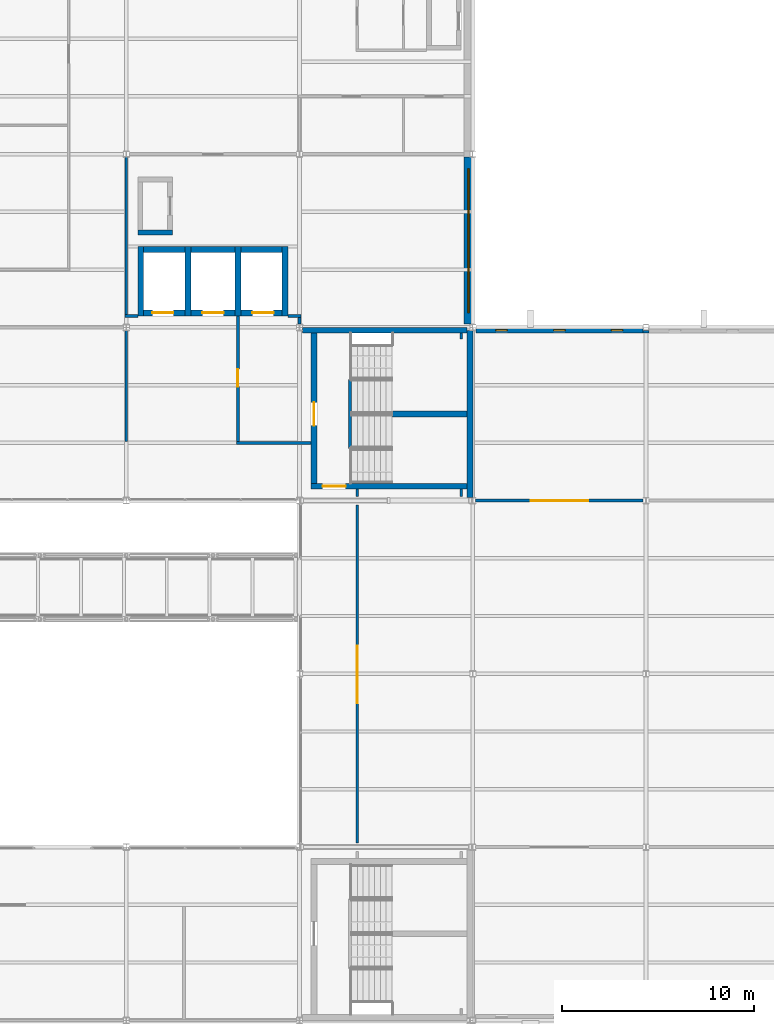
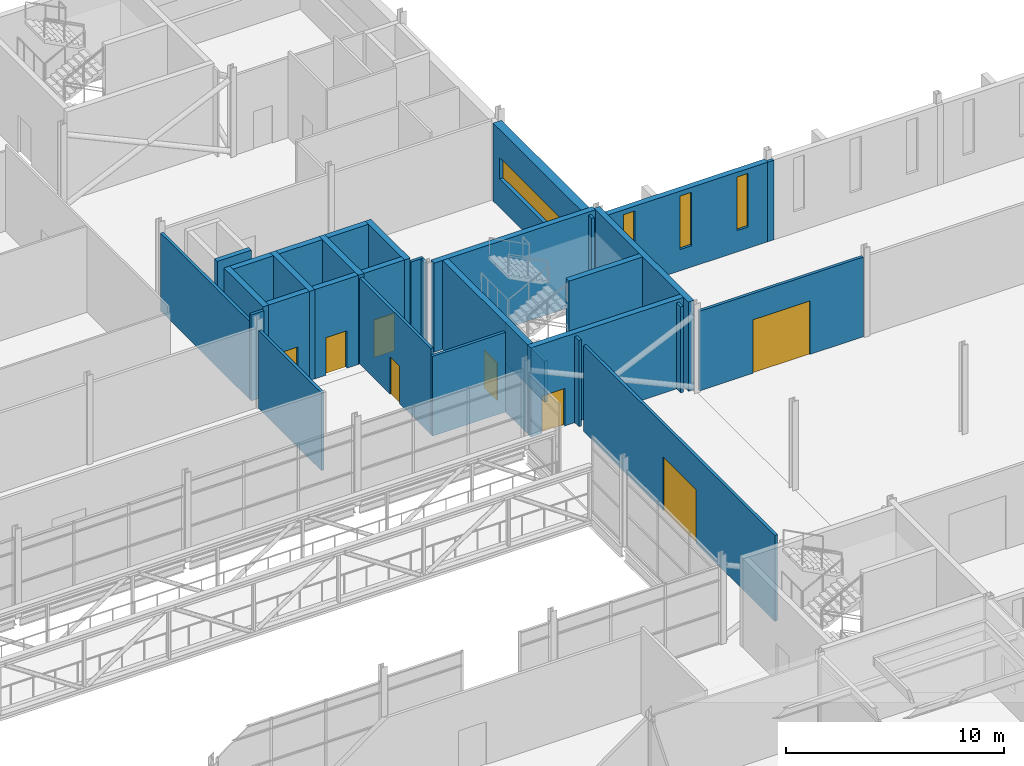
# One storey, part 86 of 115: 32 walls, 8 doors, 4 windows, 12 openings.
"""IFC4 building model written with IfcOpenShell, lengths in metres."""

import ifcopenshell
import ifcopenshell.guid

model = None  # the IFC model being written
_history = None  # IfcOwnerHistory: only IFC2X3 demands one
_inside = {}  # id of a spatial element -> (the spatial element, [elements in it])
_under = {}  # id of a project, library or spatial element -> (it, [spatial elements below it])
_declared = {}  # id of a project -> (the project, [libraries it declares])
_typed = {}  # id of a type object -> (the type object, [elements of that type])
_made_of = {}  # id of a material, layer set ... -> (it, [elements and type objects made of it])


def new_model(schema):
    """Start an empty IFC model of exactly this schema.

    Asked for "IFC4X3", IfcOpenShell would pick the latest addendum, in which some entities
    have other attributes; the version numbers below select the first issue.
    IFC2X3 requires an IfcOwnerHistory on every rooted entity: one is made here for all.
    """
    global model, _history
    if schema == "IFC4X3":
        model = ifcopenshell.file(schema_version=(4, 3, 0, 0))
    else:
        model = ifcopenshell.file(schema=schema)
    _inside.clear()
    _under.clear()
    _declared.clear()
    _typed.clear()
    _made_of.clear()
    _history = None
    if model.schema == "IFC2X3":
        org = make("IfcOrganization", Name="unknown")
        user = make(
            "IfcPersonAndOrganization",
            ThePerson=make("IfcPerson", FamilyName="unknown"),
            TheOrganization=org,
        )
        app = make(
            "IfcApplication",
            ApplicationDeveloper=org,
            Version="unknown",
            ApplicationFullName="unknown",
            ApplicationIdentifier="unknown",
        )
        _history = make(
            "IfcOwnerHistory",
            OwningUser=user,
            OwningApplication=app,
            ChangeAction="ADDED",
            CreationDate=0,
        )
    return model


def make(cls, **values):
    """One entity of the class cls with the attributes given. An attribute that is None is left unset."""
    return model.create_entity(
        cls, **{name: value for name, value in values.items() if value is not None}
    )


def rooted(cls, **values):
    """An entity with a GlobalId (a new one), such as an element, a storey or a relation."""
    return make(cls, GlobalId=ifcopenshell.guid.new(), OwnerHistory=_history, **values)


def si_unit(unit_type, name, prefix=None):
    """IfcSIUnit, for example si_unit("LENGTHUNIT", "METRE", prefix="MILLI")."""
    return make("IfcSIUnit", UnitType=unit_type, Prefix=prefix, Name=name)


def assignment(units):
    """IfcUnitAssignment: the units of a project."""
    return None if units is None else make("IfcUnitAssignment", Units=units)


def point(xyz):
    """IfcCartesianPoint."""
    return None if xyz is None else make("IfcCartesianPoint", Coordinates=xyz)


def direction(xyz):
    """IfcDirection."""
    return None if xyz is None else make("IfcDirection", DirectionRatios=xyz)


def frame(location, z_axis=None, x_axis=None):
    """IfcAxis2Placement3D, a coordinate frame: its origin and axes. An axis left out is left unset."""
    return make(
        "IfcAxis2Placement3D",
        Location=point(location),
        Axis=direction(z_axis),
        RefDirection=direction(x_axis),
    )


def frame_2d(location, x_axis=None):
    """IfcAxis2Placement2D, a coordinate frame in the plane: its origin and x axis."""
    return make(
        "IfcAxis2Placement2D", Location=point(location), RefDirection=direction(x_axis)
    )


def origin():
    """The frame at (0, 0, 0) with its axes left unset."""
    return frame((0.0, 0.0, 0.0))


def place(relative_to, where):
    """IfcLocalPlacement: puts the frame where relative to a parent placement (None: the world)."""
    return make(
        "IfcLocalPlacement", PlacementRelTo=relative_to, RelativePlacement=where
    )


def context(
    kind, dimensions, precision=None, world=None, true_north=None, identifier=None
):
    """IfcGeometricRepresentationContext, for example the 3D "Model" context."""
    return make(
        "IfcGeometricRepresentationContext",
        ContextIdentifier=identifier,
        ContextType=kind,
        CoordinateSpaceDimension=dimensions,
        Precision=precision,
        WorldCoordinateSystem=world,
        TrueNorth=true_north,
    )


def subcontext(parent, identifier, kind, view, scale=None):
    """IfcGeometricRepresentationSubContext, for example "Body" below "Model"."""
    return make(
        "IfcGeometricRepresentationSubContext",
        ContextIdentifier=identifier,
        ContextType=kind,
        ParentContext=parent,
        TargetScale=scale,
        TargetView=view,
    )


def project(units=None, contexts=None):
    """IfcProject with its units and contexts."""
    return rooted(
        "IfcProject",
        Name="project",
        RepresentationContexts=contexts,
        UnitsInContext=assignment(units),
    )


def spatial(cls, under=None, at=None, **own):
    """A site, building, storey or space (cls), placed at a placement, below another one or the project."""
    s = rooted(cls, ObjectPlacement=at, **own)
    if under is not None:
        _under.setdefault(under.id(), (under, []))[1].append(s)
    return s


def profile(cls, at=None, kind="AREA", **sizes):
    """A parametric profile (cls). Its sizes go by their IFC names, for example OverallWidth=200.0."""
    return make(cls, ProfileType=kind, Position=at, **sizes)


def rectangle(**sizes):
    """IfcRectangleProfileDef."""
    return profile("IfcRectangleProfileDef", **sizes)


def extrude(swept, where, along, depth):
    """IfcExtrudedAreaSolid: the profile swept, set in the frame where, extruded along a direction by depth."""
    return make(
        "IfcExtrudedAreaSolid",
        SweptArea=swept,
        Position=where,
        ExtrudedDirection=direction(along),
        Depth=depth,
    )


def shape(context_of_items, identifier, shape_type, items):
    """IfcShapeRepresentation: the items that make up one representation, for example the "Body"."""
    return make(
        "IfcShapeRepresentation",
        ContextOfItems=context_of_items,
        RepresentationIdentifier=identifier,
        RepresentationType=shape_type,
        Items=items,
    )


def material(Name=None, Category=None):
    """IfcMaterial."""
    return make("IfcMaterial", Name=Name, Category=Category)


def layer(
    of_material, thickness, ventilated=None, Name=None, Category=None, Priority=None
):
    """IfcMaterialLayer: one layer of a wall or slab, of a material (None: an air gap)."""
    return make(
        "IfcMaterialLayer",
        Material=of_material,
        LayerThickness=thickness,
        IsVentilated=ventilated,
        Name=Name,
        Category=Category,
        Priority=Priority,
    )


def layer_set(layers, Name=None):
    """IfcMaterialLayerSet."""
    return make("IfcMaterialLayerSet", MaterialLayers=layers, LayerSetName=Name)


def made_of(thing, what):
    """Note that an element or type object is made of a material, layer set ...; save() writes the relation."""
    if what is not None:
        _made_of.setdefault(what.id(), (what, []))[1].append(thing)
    return thing


def type_object(cls, material=None, **own):
    """A type object (cls), such as IfcWallType, which elements share."""
    return made_of(rooted(cls, **own), material)


def element(
    cls,
    number,
    at=None,
    inside=None,
    cuts=None,
    type_object=None,
    material=None,
    context=None,
    identifier="Body",
    shape_type=None,
    held_by="IfcProductDefinitionShape",
    body=None,
    shapes=None,
    **own,
):
    """One element of the class cls, such as IfcWall. Its Tag is "e" and its number.

    at: its placement. inside: the storey or other place that contains it. cuts: it is an
    opening in that element (IfcRelVoidsElement). A single representation is given by context,
    identifier, shape_type and body (its items); several are given by shapes. held_by: the class
    of the entity that holds the representations. save() writes the other relations.
    """
    e = rooted(cls, Tag="e%d" % number, ObjectPlacement=at, **own)
    if body is not None:
        shapes = [shape(context, identifier, shape_type, body)]
    if shapes is not None:
        e.Representation = make(held_by, Representations=shapes)
    if inside is not None:
        _inside.setdefault(inside.id(), (inside, []))[1].append(e)
    if cuts is not None:
        rooted(
            "IfcRelVoidsElement", RelatingBuildingElement=cuts, RelatedOpeningElement=e
        )
    if type_object is not None:
        _typed.setdefault(type_object.id(), (type_object, []))[1].append(e)
    return made_of(e, material)


def fill(opening, filler):
    """IfcRelFillsElement: the door or window that sits in an opening."""
    return rooted(
        "IfcRelFillsElement",
        RelatingOpeningElement=opening,
        RelatedBuildingElement=filler,
    )


def aggregate(whole, parts):
    """IfcRelAggregates: a whole, such as a stair, and the parts it consists of."""
    return rooted("IfcRelAggregates", RelatingObject=whole, RelatedObjects=parts)


def save(model, path):
    """Write the relations noted so far, then the file.

    IfcRelAggregates (storeys below a building ...), IfcRelContainedInSpatialStructure (elements
    in a storey), IfcRelDefinesByType, IfcRelAssociatesMaterial and IfcRelDeclares: one each for
    every whole, place, type object, material and project.
    """
    for whole, parts in _under.values():
        aggregate(whole, parts)
    for where, things in _inside.values():
        rooted(
            "IfcRelContainedInSpatialStructure",
            RelatedElements=things,
            RelatingStructure=where,
        )
    for kind, things in _typed.values():
        rooted("IfcRelDefinesByType", RelatedObjects=things, RelatingType=kind)
    for what, things in _made_of.values():
        rooted("IfcRelAssociatesMaterial", RelatedObjects=things, RelatingMaterial=what)
    for by, libraries in _declared.values():
        rooted("IfcRelDeclares", RelatingContext=by, RelatedDefinitions=libraries)
    model.write(path)


model = new_model("IFC4")

# Units and contexts
model_context = context("Model", 3, precision=1e-05, world=origin(), true_north=direction((0.0, 1.0)))
body_context = subcontext(model_context, "Body", "Model", "MODEL_VIEW")
ifc_project = project(units=[si_unit("LENGTHUNIT", "METRE"), si_unit("AREAUNIT", "SQUARE_METRE"), si_unit("VOLUMEUNIT", "CUBIC_METRE"), si_unit("PLANEANGLEUNIT", "RADIAN"), si_unit("MASSUNIT", "GRAM", prefix="KILO")], contexts=[model_context])

# Site, building, storey
site_placement = place(None, origin())
site = spatial("IfcSite", under=ifc_project, at=site_placement, CompositionType="ELEMENT")
building_placement = place(site_placement, origin())
building = spatial("IfcBuilding", under=site, at=building_placement, Name="Shorebreak Coast Museum", CompositionType="ELEMENT")
storey_placement = place(building_placement, frame((0.0, 0.0, 11.0)))
storey = spatial("IfcBuildingStorey", under=building, at=storey_placement, Name="L02", CompositionType="ELEMENT", Elevation=11.0)

# Wall
ifc_material_1 = material(Name="Concrete N50 (50 MPa)", Category="concrete")
ifc_layer_1 = layer(ifc_material_1, 0.14990234375)
ifc_layer_set_1 = layer_set([ifc_layer_1], Name="Concrete N50 (50 MPa)")
wall_type_1 = type_object("IfcWallType", Name="Column closure panel 150", PredefinedType="SOLIDWALL", material=ifc_layer_set_1)
wall_1_placement = place(storey_placement, frame((125.839111328125, 89.77490234375, 0.0), z_axis=(0.0, 0.0, 1.0), x_axis=(1.0, 0.0, 0.0)))
element("IfcWall", 1, at=wall_1_placement, inside=storey, type_object=wall_type_1, Name="Column closure panel L02 N 15L", PredefinedType="SOLIDWALL", context=body_context, shape_type="SweptSolid", body=[
    extrude(rectangle(XDim=0.32177734375, YDim=0.14990234375, at=frame_2d((0.160888671875, 0.0))), origin(), (0.0, 0.0, 1.0), 4.469482421875),
])

# Wall, opening, window
ifc_material_2 = material(Name="Concrete N50 (50 MPa)", Category="concrete")
ifc_layer_2 = layer(ifc_material_2, 0.449951171875)
ifc_layer_set_2 = layer_set([ifc_layer_2], Name="Concrete N50 (50 MPa)")
wall_type_2 = type_object("IfcWallType", Name="Deep-set precast panel 450", PredefinedType="SOLIDWALL", material=ifc_layer_set_2)
wall_2_placement = place(storey_placement, frame((116.77490234375, 90.16357421875, 0.0), z_axis=(0.0, 0.0, 1.0), x_axis=(0.0, 1.0, 0.0)))
wall_2 = element("IfcWall", 2, at=wall_2_placement, inside=storey, type_object=wall_type_2, Name="External wall L02 E 14L", PredefinedType="SOLIDWALL", context=body_context, shape_type="SweptSolid", body=[
    extrude(rectangle(XDim=8.675537109375, YDim=0.449951171875, at=frame_2d((4.337890625, 0.0))), origin(), (0.0, 0.0, 1.0), 4.37109375),
])
opening_1_placement = place(wall_2_placement, frame((0.58642578125, 0.0, 1.60009765625)))
opening_1 = element("IfcOpeningElement", 3, at=opening_1_placement, cuts=wall_2, Name="Opening WN2014", PredefinedType="OPENING", context=body_context, shape_type="SweptSolid", body=[
    extrude(rectangle(XDim=7.5, YDim=1.199951171875, at=frame_2d((3.75, 0.60009765625))), frame((0.0, 0.23486328125, 0.0), z_axis=(0.0, -1.0, 0.0), x_axis=(1.0, 0.0, 0.0)), (0.0, 0.0, 1.0), 0.469970703125),
])
ifc_material_3 = material(Name="Aluminium", Category="aluminium")
window_type_1 = type_object("IfcWindowType", Name="Ribbon window 7500 x 1200", PartitioningType="SINGLE_PANEL", PredefinedType="WINDOW", material=ifc_material_3)
window_1_placement = place(opening_1_placement, origin())
window_1 = element("IfcWindow", 4, at=window_1_placement, inside=storey, type_object=window_type_1, Name="Window WN2014", OverallHeight=1.199951171875, OverallWidth=7.5, PartitioningType="SINGLE_PANEL", PredefinedType="WINDOW", context=body_context, shape_type="SweptSolid", body=[
    extrude(rectangle(XDim=7.5, YDim=1.199951171875, at=frame_2d((3.75, 0.60009765625))), frame((0.0, 0.030029296875, 0.0), z_axis=(0.0, -1.0, 0.0), x_axis=(1.0, 0.0, 0.0)), (0.0, 0.0, 1.0), 0.06005859375),
])
fill(opening_1, window_1)

# Wall, opening, door
ifc_material_4 = material(Name="Plasterboard on steel stud", Category="steel")
ifc_layer_3 = layer(ifc_material_4, 0.14990234375)
ifc_layer_set_3 = layer_set([ifc_layer_3], Name="Plasterboard on steel stud")
wall_type_3 = type_object("IfcWallType", Name="Fire partition 150", PredefinedType="PARTITIONING", material=ifc_layer_set_3)
wall_3_placement = place(storey_placement, frame((117.153564453125, 81.0, 0.0), z_axis=(0.0, 0.0, 1.0), x_axis=(1.0, 0.0, 0.0)))
wall_3 = element("IfcWall", 5, at=wall_3_placement, inside=storey, type_object=wall_type_3, Name="Partition L02-054", PredefinedType="PARTITIONING", context=body_context, shape_type="SweptSolid", body=[
    extrude(rectangle(XDim=8.69287109375, YDim=0.14990234375, at=frame_2d((4.346435546875, 0.0))), origin(), (0.0, 0.0, 1.0), 4.469482421875),
])
opening_2_placement = place(wall_3_placement, frame((2.85009765625, 0.0, 0.0)))
opening_2 = element("IfcOpeningElement", 6, at=opening_2_placement, cuts=wall_3, Name="Opening D2067", PredefinedType="OPENING", context=body_context, shape_type="SweptSolid", body=[
    extrude(rectangle(XDim=3.0, YDim=3.0, at=frame_2d((1.5, 1.5))), frame((0.0, 0.0849609375, 0.0), z_axis=(0.0, -1.0, 0.0), x_axis=(1.0, 0.0, 0.0)), (0.0, 0.0, 1.0), 0.169921875),
])
ifc_material_5 = material(Name="Steel", Category="steel")
door_type_1 = type_object("IfcDoorType", Name="Fire door 3000x3000 60", OperationType="DOUBLE_DOOR_SINGLE_SWING", PredefinedType="DOOR", material=ifc_material_5)
door_1_placement = place(opening_2_placement, origin())
door_1 = element("IfcDoor", 7, at=door_1_placement, inside=storey, type_object=door_type_1, Name="Door D2067 Permanent Gallery 2.02", OperationType="DOUBLE_DOOR_SINGLE_SWING", OverallHeight=3.0, OverallWidth=3.0, PredefinedType="DOOR", context=body_context, shape_type="SweptSolid", body=[
    extrude(rectangle(XDim=3.0, YDim=3.0, at=frame_2d((1.5, 1.5))), frame((0.0, 0.02490234375, 0.0), z_axis=(0.0, -1.0, 0.0), x_axis=(1.0, 0.0, 0.0)), (0.0, 0.0, 1.0), 0.050048828125),
])
fill(opening_2, door_1)

# Walls
wall_4_placement = place(storey_placement, frame((104.72509765625, 84.0, 0.0), z_axis=(0.0, 0.0, 1.0), x_axis=(1.0, 0.0, 0.0)))
element("IfcWall", 8, at=wall_4_placement, inside=storey, type_object=wall_type_3, Name="Partition L02-062", PredefinedType="PARTITIONING", context=body_context, shape_type="SweptSolid", body=[
    extrude(rectangle(XDim=3.875, YDim=0.14990234375, at=frame_2d((1.9375, 0.0))), origin(), (0.0, 0.0, 1.0), 4.469482421875),
])
for number, where, z_axis, x_axis, name in (
    (9, (98.925048828125, 90.60009765625, 0.0), (0.0, 0.0, 1.0), (1.0, 0.0, 0.0), "Partition L02-068"),
    (10, (107.39990234375, 90.60009765625, 0.0), (0.0, 0.0, 1.0), (1.0, 0.0, 0.0), "Partition L02-069"),
):
    element("IfcWall", number, at=place(storey_placement, frame(where, z_axis=z_axis, x_axis=x_axis)), inside=storey, type_object=wall_type_3, Name=name, PredefinedType="PARTITIONING", context=body_context, shape_type="SweptSolid", body=[
        extrude(rectangle(XDim=0.675048828125, YDim=0.14990234375, at=frame_2d((0.33740234375, 0.0))), origin(), (0.0, 0.0, 1.0), 4.824951171875),
    ])
wall_5_placement = place(storey_placement, frame((99.0, 84.074951171875, 0.0), z_axis=(0.0, 0.0, 1.0), x_axis=(0.0, 1.0, 0.0)))
element("IfcWall", 11, at=wall_5_placement, inside=storey, type_object=wall_type_3, Name="Partition L02-150", PredefinedType="PARTITIONING", context=body_context, shape_type="SweptSolid", body=[
    extrude(rectangle(XDim=5.761474609375, YDim=0.14990234375, at=frame_2d((2.880859375, 0.0))), origin(), (0.0, 0.0, 1.0), 4.37109375),
])
wall_6_placement = place(storey_placement, frame((99.0, 90.675048828125, 0.0), z_axis=(0.0, 0.0, 1.0), x_axis=(0.0, 1.0, 0.0)))
element("IfcWall", 12, at=wall_6_placement, inside=storey, type_object=wall_type_3, Name="Partition L02-151", PredefinedType="PARTITIONING", context=body_context, shape_type="SweptSolid", body=[
    extrude(rectangle(XDim=8.167724609375, YDim=0.14990234375, at=frame_2d((4.083984375, 0.0))), origin(), (0.0, 0.0, 1.0), 4.37109375),
])

# Wall, opening, door
wall_7_placement = place(storey_placement, frame((104.800048828125, 84.074951171875, 0.0), z_axis=(0.0, 0.0, 1.0), x_axis=(0.0, 1.0, 0.0)))
wall_7 = element("IfcWall", 13, at=wall_7_placement, inside=storey, type_object=wall_type_3, Name="Partition L02-154", PredefinedType="PARTITIONING", context=body_context, shape_type="SweptSolid", body=[
    extrude(rectangle(XDim=6.525146484375, YDim=0.14990234375, at=frame_2d((3.2626953125, 0.0))), origin(), (0.0, 0.0, 1.0), 4.824951171875),
])
opening_3_placement = place(wall_7_placement, frame((2.85009765625, 0.0, 0.0)))
opening_3 = element("IfcOpeningElement", 14, at=opening_3_placement, cuts=wall_7, Name="Opening D2002", PredefinedType="OPENING", context=body_context, shape_type="SweptSolid", body=[
    extrude(rectangle(XDim=0.89990234375, YDim=2.10009765625, at=frame_2d((0.449951171875, 1.050048828125))), frame((0.0, 0.0849609375, 0.0), z_axis=(0.0, -1.0, 0.0), x_axis=(1.0, 0.0, 0.0)), (0.0, 0.0, 1.0), 0.169921875),
])
ifc_material_6 = material(Name="Steel", Category="steel")
door_type_2 = type_object("IfcDoorType", Name="Fire door 900x2100 60", OperationType="SINGLE_SWING_LEFT", PredefinedType="DOOR", material=ifc_material_6)
door_2_placement = place(opening_3_placement, origin())
door_2 = element("IfcDoor", 15, at=door_2_placement, inside=storey, type_object=door_type_2, Name="Door D2002 Firefighting Lift Lobby E", OperationType="SINGLE_SWING_RIGHT", OverallHeight=2.10009765625, OverallWidth=0.89990234375, PredefinedType="DOOR", context=body_context, shape_type="SweptSolid", body=[
    extrude(rectangle(XDim=0.89990234375, YDim=2.10009765625, at=frame_2d((0.449951171875, 1.050048828125))), frame((0.0, 0.02490234375, 0.0), z_axis=(0.0, -1.0, 0.0), x_axis=(1.0, 0.0, 0.0)), (0.0, 0.0, 1.0), 0.050048828125),
])
fill(opening_3, door_2)

# Wall
wall_8_placement = place(storey_placement, frame((108.0, 90.16357421875, 0.0), z_axis=(0.0, 0.0, 1.0), x_axis=(0.0, 1.0, 0.0)))
element("IfcWall", 16, at=wall_8_placement, inside=storey, type_object=wall_type_3, Name="Partition L02-160", PredefinedType="PARTITIONING", context=body_context, shape_type="SweptSolid", body=[
    extrude(rectangle(XDim=0.361328125, YDim=0.14990234375, at=frame_2d((0.1806640625, 0.0))), origin(), (0.0, 0.0, 1.0), 4.824951171875),
])

# Wall, opening, door
wall_9_placement = place(storey_placement, frame((111.0, 63.219970703125, 0.0), z_axis=(0.0, 0.0, 1.0), x_axis=(0.0, 1.0, 0.0)))
wall_9 = element("IfcWall", 17, at=wall_9_placement, inside=storey, type_object=wall_type_3, Name="Partition L02-166", PredefinedType="PARTITIONING", context=body_context, shape_type="SweptSolid", body=[
    extrude(rectangle(XDim=17.56005859375, YDim=0.14990234375, at=frame_2d((8.780029296875, 0.0))), origin(), (0.0, 0.0, 1.0), 4.824951171875),
])
opening_4_placement = place(wall_9_placement, frame((7.25, 0.0, 0.0)))
opening_4 = element("IfcOpeningElement", 18, at=opening_4_placement, cuts=wall_9, Name="Opening D2062", PredefinedType="OPENING", context=body_context, shape_type="SweptSolid", body=[
    extrude(rectangle(XDim=3.0, YDim=3.0, at=frame_2d((1.5, 1.5))), frame((0.0, 0.0849609375, 0.0), z_axis=(0.0, -1.0, 0.0), x_axis=(1.0, 0.0, 0.0)), (0.0, 0.0, 1.0), 0.169921875),
])
door_3_placement = place(opening_4_placement, origin())
door_3 = element("IfcDoor", 19, at=door_3_placement, inside=storey, type_object=door_type_1, Name="Door D2062 Permanent Gallery 2.02", OperationType="DOUBLE_DOOR_SINGLE_SWING", OverallHeight=3.0, OverallWidth=3.0, PredefinedType="DOOR", context=body_context, shape_type="SweptSolid", body=[
    extrude(rectangle(XDim=3.0, YDim=3.0, at=frame_2d((1.5, 1.5))), frame((0.0, 0.02490234375, 0.0), z_axis=(0.0, -1.0, 0.0), x_axis=(1.0, 0.0, 0.0)), (0.0, 0.0, 1.0), 0.050048828125),
])
fill(opening_4, door_3)

# Walls
for number, where, z_axis, x_axis, name in (
    (20, (111.0, 81.219970703125, 0.0), (0.0, 0.0, 1.0), (0.0, 1.0, 0.0), "Partition L02-167"),
    (21, (116.39990234375, 81.219970703125, 0.0), (0.0, 0.0, 1.0), (0.0, 1.0, 0.0), "Partition L02-176"),
):
    element("IfcWall", number, at=place(storey_placement, frame(where, z_axis=z_axis, x_axis=x_axis)), inside=storey, type_object=wall_type_3, Name=name, PredefinedType="PARTITIONING", context=body_context, shape_type="SweptSolid", body=[
        extrude(rectangle(XDim=0.380126953125, YDim=0.14990234375, at=frame_2d((0.18994140625, 0.0))), origin(), (0.0, 0.0, 1.0), 4.824951171875),
    ])
wall_10_placement = place(storey_placement, frame((116.39990234375, 89.39990234375, 0.0), z_axis=(0.0, 0.0, 1.0), x_axis=(0.0, 1.0, 0.0)))
element("IfcWall", 22, at=wall_10_placement, inside=storey, type_object=wall_type_3, Name="Partition L02-177", PredefinedType="PARTITIONING", context=body_context, shape_type="SweptSolid", body=[
    extrude(rectangle(XDim=0.300048828125, YDim=0.14990234375, at=frame_2d((0.14990234375, 0.0))), origin(), (0.0, 0.0, 1.0), 4.824951171875),
])

# Wall, openings, windows
ifc_material_7 = material(Name="Concrete N50 (50 MPa)", Category="concrete")
ifc_layer_4 = layer(ifc_material_7, 0.300048828125)
ifc_layer_set_4 = layer_set([ifc_layer_4], Name="Concrete N50 (50 MPa)")
wall_type_4 = type_object("IfcWallType", Name="Precast board-marked panel 300", PredefinedType="SOLIDWALL", material=ifc_layer_set_4)
wall_11_placement = place(storey_placement, frame((117.155517578125, 89.85009765625, 0.0), z_axis=(0.0, 0.0, 1.0), x_axis=(1.0, 0.0, 0.0)))
wall_11 = element("IfcWall", 23, at=wall_11_placement, inside=storey, type_object=wall_type_4, Name="External wall L02 N 14L", PredefinedType="SOLIDWALL", context=body_context, shape_type="SweptSolid", body=[
    extrude(rectangle(XDim=8.68359375, YDim=0.300048828125, at=frame_2d((4.341796875, 0.0))), origin(), (0.0, 0.0, 1.0), 4.469482421875),
])
opening_5_placement = place(wall_11_placement, frame((1.04443359375, 0.0, 1.199951171875)))
opening_5 = element("IfcOpeningElement", 24, at=opening_5_placement, cuts=wall_11, Name="Opening WN2018", PredefinedType="OPENING", context=body_context, shape_type="SweptSolid", body=[
    extrude(rectangle(XDim=0.60009765625, YDim=3.0, at=frame_2d((0.300048828125, 1.5))), frame((0.0, 0.159912109375, 0.0), z_axis=(0.0, -1.0, 0.0), x_axis=(1.0, 0.0, 0.0)), (0.0, 0.0, 1.0), 0.320068359375),
])
opening_6_placement = place(wall_11_placement, frame((4.04443359375, 0.0, 1.199951171875)))
opening_6 = element("IfcOpeningElement", 25, at=opening_6_placement, cuts=wall_11, Name="Opening WN2019", PredefinedType="OPENING", context=body_context, shape_type="SweptSolid", body=[
    extrude(rectangle(XDim=0.60009765625, YDim=3.0, at=frame_2d((0.300048828125, 1.5))), frame((0.0, 0.159912109375, 0.0), z_axis=(0.0, -1.0, 0.0), x_axis=(1.0, 0.0, 0.0)), (0.0, 0.0, 1.0), 0.320068359375),
])
opening_7_placement = place(wall_11_placement, frame((7.04443359375, 0.0, 1.199951171875)))
opening_7 = element("IfcOpeningElement", 26, at=opening_7_placement, cuts=wall_11, Name="Opening WN2020", PredefinedType="OPENING", context=body_context, shape_type="SweptSolid", body=[
    extrude(rectangle(XDim=0.60009765625, YDim=3.0, at=frame_2d((0.300048828125, 1.5))), frame((0.0, 0.159912109375, 0.0), z_axis=(0.0, -1.0, 0.0), x_axis=(1.0, 0.0, 0.0)), (0.0, 0.0, 1.0), 0.320068359375),
])
ifc_material_8 = material(Name="Aluminium", Category="aluminium")
window_type_2 = type_object("IfcWindowType", Name="Hall slot window 600 x 3000", PartitioningType="SINGLE_PANEL", PredefinedType="WINDOW", material=ifc_material_8)
window_2_placement = place(opening_5_placement, origin())
window_2 = element("IfcWindow", 27, at=window_2_placement, inside=storey, type_object=window_type_2, Name="Window WN2018", OverallHeight=3.0, OverallWidth=0.60009765625, PartitioningType="SINGLE_PANEL", PredefinedType="WINDOW", context=body_context, shape_type="SweptSolid", body=[
    extrude(rectangle(XDim=0.60009765625, YDim=3.0, at=frame_2d((0.300048828125, 1.5))), frame((0.0, 0.030029296875, 0.0), z_axis=(0.0, -1.0, 0.0), x_axis=(1.0, 0.0, 0.0)), (0.0, 0.0, 1.0), 0.06005859375),
])
fill(opening_5, window_2)
window_3_placement = place(opening_6_placement, origin())
window_3 = element("IfcWindow", 28, at=window_3_placement, inside=storey, type_object=window_type_2, Name="Window WN2019", OverallHeight=3.0, OverallWidth=0.60009765625, PartitioningType="SINGLE_PANEL", PredefinedType="WINDOW", context=body_context, shape_type="SweptSolid", body=[
    extrude(rectangle(XDim=0.60009765625, YDim=3.0, at=frame_2d((0.300048828125, 1.5))), frame((0.0, 0.030029296875, 0.0), z_axis=(0.0, -1.0, 0.0), x_axis=(1.0, 0.0, 0.0)), (0.0, 0.0, 1.0), 0.06005859375),
])
fill(opening_6, window_3)
window_4_placement = place(opening_7_placement, origin())
window_4 = element("IfcWindow", 29, at=window_4_placement, inside=storey, type_object=window_type_2, Name="Window WN2020", OverallHeight=3.0, OverallWidth=0.60009765625, PartitioningType="SINGLE_PANEL", PredefinedType="WINDOW", context=body_context, shape_type="SweptSolid", body=[
    extrude(rectangle(XDim=0.60009765625, YDim=3.0, at=frame_2d((0.300048828125, 1.5))), frame((0.0, 0.030029296875, 0.0), z_axis=(0.0, -1.0, 0.0), x_axis=(1.0, 0.0, 0.0)), (0.0, 0.0, 1.0), 0.06005859375),
])
fill(opening_7, window_4)

# Wall
ifc_material_9 = material(Name="Concrete N50 (50 MPa)", Category="concrete")
ifc_layer_5 = layer(ifc_material_9, 0.25)
ifc_layer_set_5 = layer_set([ifc_layer_5], Name="Concrete N50 (50 MPa)")
wall_type_5 = type_object("IfcWallType", Name="RC riser wall 250", PredefinedType="STANDARD", material=ifc_layer_set_5)
wall_12_placement = place(storey_placement, frame((99.60009765625, 94.925048828125, 0.0), z_axis=(0.0, 0.0, 1.0), x_axis=(1.0, 0.0, 0.0)))
element("IfcWall", 30, at=wall_12_placement, inside=storey, type_object=wall_type_5, Name="Riser wall R-LBE L02 S", PredefinedType="STANDARD", context=body_context, shape_type="SweptSolid", body=[
    extrude(rectangle(XDim=1.7998046875, YDim=0.25, at=frame_2d((0.89990234375, 0.0))), origin(), (0.0, 0.0, 1.0), 5.0),
])

# Wall, opening, door
ifc_material_10 = material(Name="Concrete N50 (50 MPa)", Category="concrete")
ifc_layer_6 = layer(ifc_material_10, 0.300048828125)
ifc_layer_set_6 = layer_set([ifc_layer_6], Name="Concrete N50 (50 MPa)")
wall_type_6 = type_object("IfcWallType", Name="RC wall 300", PredefinedType="SHEAR", material=ifc_layer_set_6)
wall_13_placement = place(storey_placement, frame((108.60009765625, 81.75, 0.0), z_axis=(0.0, 0.0, 1.0), x_axis=(1.0, 0.0, 0.0)))
wall_13 = element("IfcWall", 31, at=wall_13_placement, inside=storey, type_object=wall_type_6, Name="Stair core wall ST04 L02 S", PredefinedType="SHEAR", context=body_context, shape_type="SweptSolid", body=[
    extrude(rectangle(XDim=8.099853515625, YDim=0.300048828125, at=frame_2d((4.0498046875, 0.0))), origin(), (0.0, 0.0, 1.0), 5.0),
])
opening_8_placement = place(wall_13_placement, frame((0.60009765625, 0.0, 0.0)))
opening_8 = element("IfcOpeningElement", 32, at=opening_8_placement, cuts=wall_13, Name="Opening D2704", PredefinedType="OPENING", context=body_context, shape_type="SweptSolid", body=[
    extrude(rectangle(XDim=1.199951171875, YDim=2.10009765625, at=frame_2d((0.60009765625, 1.050048828125))), frame((0.0, 0.159912109375, 0.0), z_axis=(0.0, -1.0, 0.0), x_axis=(1.0, 0.0, 0.0)), (0.0, 0.0, 1.0), 0.320068359375),
])
ifc_material_11 = material(Name="Steel Grade 300", Category="steel")
door_type_3 = type_object("IfcDoorType", Name="Fire door 1200x2100", OperationType="SINGLE_SWING_LEFT", PredefinedType="DOOR", material=ifc_material_11)
door_4_placement = place(opening_8_placement, origin())
door_4 = element("IfcDoor", 33, at=door_4_placement, inside=storey, type_object=door_type_3, Name="Stair door ST04 L02 south", OperationType="SINGLE_SWING_RIGHT", OverallHeight=2.10009765625, OverallWidth=1.199951171875, PredefinedType="DOOR", context=body_context, shape_type="SweptSolid", body=[
    extrude(rectangle(XDim=1.199951171875, YDim=2.10009765625, at=frame_2d((0.60009765625, 1.050048828125))), frame((0.0, 0.02490234375, 0.0), z_axis=(0.0, -1.0, 0.0), x_axis=(1.0, 0.0, 0.0)), (0.0, 0.0, 1.0), 0.050048828125),
])
fill(opening_8, door_4)

# Wall
wall_14_placement = place(storey_placement, frame((108.155517578125, 89.85009765625, 0.0), z_axis=(0.0, 0.0, 1.0), x_axis=(1.0, 0.0, 0.0)))
element("IfcWall", 34, at=wall_14_placement, inside=storey, type_object=wall_type_6, Name="Stair core wall ST04 L02 N", PredefinedType="SHEAR", context=body_context, shape_type="SweptSolid", body=[
    extrude(rectangle(XDim=8.54443359375, YDim=0.300048828125, at=frame_2d((4.272216796875, 0.0))), origin(), (0.0, 0.0, 1.0), 5.0),
])

# Wall, opening, door
wall_15_placement = place(storey_placement, frame((108.75, 81.89990234375, 0.0), z_axis=(0.0, 0.0, 1.0), x_axis=(0.0, 1.0, 0.0)))
wall_15 = element("IfcWall", 35, at=wall_15_placement, inside=storey, type_object=wall_type_6, Name="Stair core wall ST04 L02 W", PredefinedType="SHEAR", context=body_context, shape_type="SweptSolid", body=[
    extrude(rectangle(XDim=7.800048828125, YDim=0.300048828125, at=frame_2d((3.89990234375, 0.0))), origin(), (0.0, 0.0, 1.0), 5.0),
])
opening_9_placement = place(wall_15_placement, frame((3.0, 0.0, 0.0)))
opening_9 = element("IfcOpeningElement", 36, at=opening_9_placement, cuts=wall_15, Name="Opening D2804", PredefinedType="OPENING", context=body_context, shape_type="SweptSolid", body=[
    extrude(rectangle(XDim=1.199951171875, YDim=2.10009765625, at=frame_2d((0.60009765625, 1.050048828125))), frame((0.0, 0.159912109375, 0.0), z_axis=(0.0, -1.0, 0.0), x_axis=(1.0, 0.0, 0.0)), (0.0, 0.0, 1.0), 0.320068359375),
])
door_5_placement = place(opening_9_placement, origin())
door_5 = element("IfcDoor", 37, at=door_5_placement, inside=storey, type_object=door_type_3, Name="Stair door ST04 L02", OperationType="SINGLE_SWING_LEFT", OverallHeight=2.10009765625, OverallWidth=1.199951171875, PredefinedType="DOOR", context=body_context, shape_type="SweptSolid", body=[
    extrude(rectangle(XDim=1.199951171875, YDim=2.10009765625, at=frame_2d((0.60009765625, 1.050048828125))), frame((0.0, 0.02490234375, 0.0), z_axis=(0.0, -1.0, 0.0), x_axis=(1.0, 0.0, 0.0)), (0.0, 0.0, 1.0), 0.050048828125),
])
fill(opening_9, door_5)

# Walls
wall_16_placement = place(storey_placement, frame((116.85009765625, 81.1572265625, 0.0), z_axis=(0.0, 0.0, 1.0), x_axis=(0.0, 1.0, 0.0)))
element("IfcWall", 38, at=wall_16_placement, inside=storey, type_object=wall_type_6, Name="Stair core wall ST04 L02 E", PredefinedType="SHEAR", context=body_context, shape_type="SweptSolid", body=[
    extrude(rectangle(XDim=8.67919921875, YDim=0.300048828125, at=frame_2d((4.339599609375, 0.0))), origin(), (0.0, 0.0, 1.0), 5.0),
])
wall_17_placement = place(storey_placement, frame((112.800048828125, 85.5, 0.0), z_axis=(0.0, 0.0, 1.0), x_axis=(1.0, 0.0, 0.0)))
element("IfcWall", 39, at=wall_17_placement, inside=storey, type_object=wall_type_6, Name="Stair spine wall ST04 L02", PredefinedType="SHEAR", context=body_context, shape_type="SweptSolid", body=[
    extrude(rectangle(XDim=3.89990234375, YDim=0.300048828125, at=frame_2d((1.949951171875, 0.0))), origin(), (0.0, 0.0, 1.0), 5.0),
])
for number, where, z_axis, x_axis, name in (
    (40, (99.75, 90.60009765625, 0.0), (0.0, 0.0, 1.0), (0.0, 1.0, 0.0), "Lift shaft wall LBE L02 1"),
    (41, (102.199951171875, 90.60009765625, 0.0), (0.0, 0.0, 1.0), (0.0, 1.0, 0.0), "Lift shaft wall LBE L02 2"),
    (42, (104.800048828125, 90.60009765625, 0.0), (0.0, 0.0, 1.0), (0.0, 1.0, 0.0), "Lift shaft wall LBE L02 3"),
    (43, (107.25, 90.60009765625, 0.0), (0.0, 0.0, 1.0), (0.0, 1.0, 0.0), "Lift shaft wall LBE L02 4"),
):
    element("IfcWall", number, at=place(storey_placement, frame(where, z_axis=z_axis, x_axis=x_axis)), inside=storey, type_object=wall_type_6, Name=name, PredefinedType="SHEAR", context=body_context, shape_type="SweptSolid", body=[
        extrude(rectangle(XDim=3.599853515625, YDim=0.300048828125, at=frame_2d((1.7998046875, 0.0))), origin(), (0.0, 0.0, 1.0), 5.0),
    ])

# Wall, opening, door
wall_18_placement = place(storey_placement, frame((99.89990234375, 90.75, 0.0), z_axis=(0.0, 0.0, 1.0), x_axis=(1.0, 0.0, 0.0)))
wall_18 = element("IfcWall", 44, at=wall_18_placement, inside=storey, type_object=wall_type_6, Name="Lift shaft wall P3 L02 F", PredefinedType="SHEAR", context=body_context, shape_type="SweptSolid", body=[
    extrude(rectangle(XDim=2.150146484375, YDim=0.300048828125, at=frame_2d((1.0751953125, 0.0))), origin(), (0.0, 0.0, 1.0), 5.0),
])
opening_10_placement = place(wall_18_placement, frame((0.449951171875, 0.0, 0.0)))
opening_10 = element("IfcOpeningElement", 45, at=opening_10_placement, cuts=wall_18, Name="Opening LD2-P3", PredefinedType="OPENING", context=body_context, shape_type="SweptSolid", body=[
    extrude(rectangle(XDim=1.10009765625, YDim=2.10009765625, at=frame_2d((0.550048828125, 1.050048828125))), frame((0.0, 0.159912109375, 0.0), z_axis=(0.0, -1.0, 0.0), x_axis=(1.0, 0.0, 0.0)), (0.0, 0.0, 1.0), 0.320068359375),
])
ifc_material_12 = material(Name="Steel Grade 300", Category="steel")
door_type_4 = type_object("IfcDoorType", Name="Landing door 1100x2100", OperationType="DOUBLE_DOOR_SLIDING", PredefinedType="DOOR", material=ifc_material_12)
door_6_placement = place(opening_10_placement, origin())
door_6 = element("IfcDoor", 46, at=door_6_placement, inside=storey, type_object=door_type_4, Name="Landing door P3 L02", OperationType="DOUBLE_DOOR_SLIDING", OverallHeight=2.10009765625, OverallWidth=1.10009765625, PredefinedType="DOOR", context=body_context, shape_type="SweptSolid", body=[
    extrude(rectangle(XDim=1.10009765625, YDim=2.10009765625, at=frame_2d((0.550048828125, 1.050048828125))), frame((0.0, 0.02490234375, 0.0), z_axis=(0.0, -1.0, 0.0), x_axis=(1.0, 0.0, 0.0)), (0.0, 0.0, 1.0), 0.050048828125),
])
fill(opening_10, door_6)

# Wall
wall_19_placement = place(storey_placement, frame((99.89990234375, 94.050048828125, 0.0), z_axis=(0.0, 0.0, 1.0), x_axis=(1.0, 0.0, 0.0)))
element("IfcWall", 47, at=wall_19_placement, inside=storey, type_object=wall_type_6, Name="Lift shaft wall P3 L02 B", PredefinedType="SHEAR", context=body_context, shape_type="SweptSolid", body=[
    extrude(rectangle(XDim=2.150146484375, YDim=0.300048828125, at=frame_2d((1.0751953125, 0.0))), origin(), (0.0, 0.0, 1.0), 5.0),
])

# Wall, opening, door
wall_20_placement = place(storey_placement, frame((102.35009765625, 90.75, 0.0), z_axis=(0.0, 0.0, 1.0), x_axis=(1.0, 0.0, 0.0)))
wall_20 = element("IfcWall", 48, at=wall_20_placement, inside=storey, type_object=wall_type_6, Name="Lift shaft wall P4 L02 F", PredefinedType="SHEAR", context=body_context, shape_type="SweptSolid", body=[
    extrude(rectangle(XDim=2.2998046875, YDim=0.300048828125, at=frame_2d((1.14990234375, 0.0))), origin(), (0.0, 0.0, 1.0), 5.0),
])
opening_11_placement = place(wall_20_placement, frame((0.60009765625, 0.0, 0.0)))
opening_11 = element("IfcOpeningElement", 49, at=opening_11_placement, cuts=wall_20, Name="Opening LD2-P4", PredefinedType="OPENING", context=body_context, shape_type="SweptSolid", body=[
    extrude(rectangle(XDim=1.10009765625, YDim=2.10009765625, at=frame_2d((0.550048828125, 1.050048828125))), frame((0.0, 0.159912109375, 0.0), z_axis=(0.0, -1.0, 0.0), x_axis=(1.0, 0.0, 0.0)), (0.0, 0.0, 1.0), 0.320068359375),
])
door_7_placement = place(opening_11_placement, origin())
door_7 = element("IfcDoor", 50, at=door_7_placement, inside=storey, type_object=door_type_4, Name="Landing door P4 L02", OperationType="DOUBLE_DOOR_SLIDING", OverallHeight=2.10009765625, OverallWidth=1.10009765625, PredefinedType="DOOR", context=body_context, shape_type="SweptSolid", body=[
    extrude(rectangle(XDim=1.10009765625, YDim=2.10009765625, at=frame_2d((0.550048828125, 1.050048828125))), frame((0.0, 0.02490234375, 0.0), z_axis=(0.0, -1.0, 0.0), x_axis=(1.0, 0.0, 0.0)), (0.0, 0.0, 1.0), 0.050048828125),
])
fill(opening_11, door_7)

# Wall
wall_21_placement = place(storey_placement, frame((102.35009765625, 94.050048828125, 0.0), z_axis=(0.0, 0.0, 1.0), x_axis=(1.0, 0.0, 0.0)))
element("IfcWall", 51, at=wall_21_placement, inside=storey, type_object=wall_type_6, Name="Lift shaft wall P4 L02 B", PredefinedType="SHEAR", context=body_context, shape_type="SweptSolid", body=[
    extrude(rectangle(XDim=2.2998046875, YDim=0.300048828125, at=frame_2d((1.14990234375, 0.0))), origin(), (0.0, 0.0, 1.0), 5.0),
])

# Wall, opening, door
wall_22_placement = place(storey_placement, frame((104.949951171875, 90.75, 0.0), z_axis=(0.0, 0.0, 1.0), x_axis=(1.0, 0.0, 0.0)))
wall_22 = element("IfcWall", 52, at=wall_22_placement, inside=storey, type_object=wall_type_6, Name="Lift shaft wall FL2 L02 F", PredefinedType="SHEAR", context=body_context, shape_type="SweptSolid", body=[
    extrude(rectangle(XDim=2.150146484375, YDim=0.300048828125, at=frame_2d((1.0751953125, 0.0))), origin(), (0.0, 0.0, 1.0), 5.0),
])
opening_12_placement = place(wall_22_placement, frame((0.60009765625, 0.0, 0.0)))
opening_12 = element("IfcOpeningElement", 53, at=opening_12_placement, cuts=wall_22, Name="Opening LD2-FL2", PredefinedType="OPENING", context=body_context, shape_type="SweptSolid", body=[
    extrude(rectangle(XDim=1.10009765625, YDim=2.10009765625, at=frame_2d((0.550048828125, 1.050048828125))), frame((0.0, 0.159912109375, 0.0), z_axis=(0.0, -1.0, 0.0), x_axis=(1.0, 0.0, 0.0)), (0.0, 0.0, 1.0), 0.320068359375),
])
door_8_placement = place(opening_12_placement, origin())
door_8 = element("IfcDoor", 54, at=door_8_placement, inside=storey, type_object=door_type_4, Name="Landing door FL2 L02", OperationType="DOUBLE_DOOR_SLIDING", OverallHeight=2.10009765625, OverallWidth=1.10009765625, PredefinedType="DOOR", context=body_context, shape_type="SweptSolid", body=[
    extrude(rectangle(XDim=1.10009765625, YDim=2.10009765625, at=frame_2d((0.550048828125, 1.050048828125))), frame((0.0, 0.02490234375, 0.0), z_axis=(0.0, -1.0, 0.0), x_axis=(1.0, 0.0, 0.0)), (0.0, 0.0, 1.0), 0.050048828125),
])
fill(opening_12, door_8)

# Walls
wall_23_placement = place(storey_placement, frame((104.949951171875, 94.050048828125, 0.0), z_axis=(0.0, 0.0, 1.0), x_axis=(1.0, 0.0, 0.0)))
element("IfcWall", 55, at=wall_23_placement, inside=storey, type_object=wall_type_6, Name="Lift shaft wall FL2 L02 B", PredefinedType="SHEAR", context=body_context, shape_type="SweptSolid", body=[
    extrude(rectangle(XDim=2.150146484375, YDim=0.300048828125, at=frame_2d((1.0751953125, 0.0))), origin(), (0.0, 0.0, 1.0), 5.0),
])
ifc_material_13 = material(Name="Concrete N50 (50 MPa)", Category="concrete")
ifc_layer_7 = layer(ifc_material_13, 0.14990234375)
ifc_layer_set_7 = layer_set([ifc_layer_7], Name="Concrete N50 (50 MPa)")
wall_type_7 = type_object("IfcWallType", Name="Understair wall 150", PredefinedType="STANDARD", material=ifc_layer_set_7)
wall_24_placement = place(storey_placement, frame((110.625, 83.699951171875, 0.0), z_axis=(0.0, 0.0, 1.0), x_axis=(0.0, 1.0, 0.0)))
element("IfcWall", 56, at=wall_24_placement, inside=storey, type_object=wall_type_7, Name="Understair wall ST04 L02 floor", PredefinedType="STANDARD", context=body_context, shape_type="SweptSolid", body=[
    extrude(rectangle(XDim=3.60009765625, YDim=0.14990234375, at=frame_2d((1.800048828125, 0.0))), origin(), (0.0, 0.0, 1.0), 2.300048828125),
])

save(model, "model.ifc")
